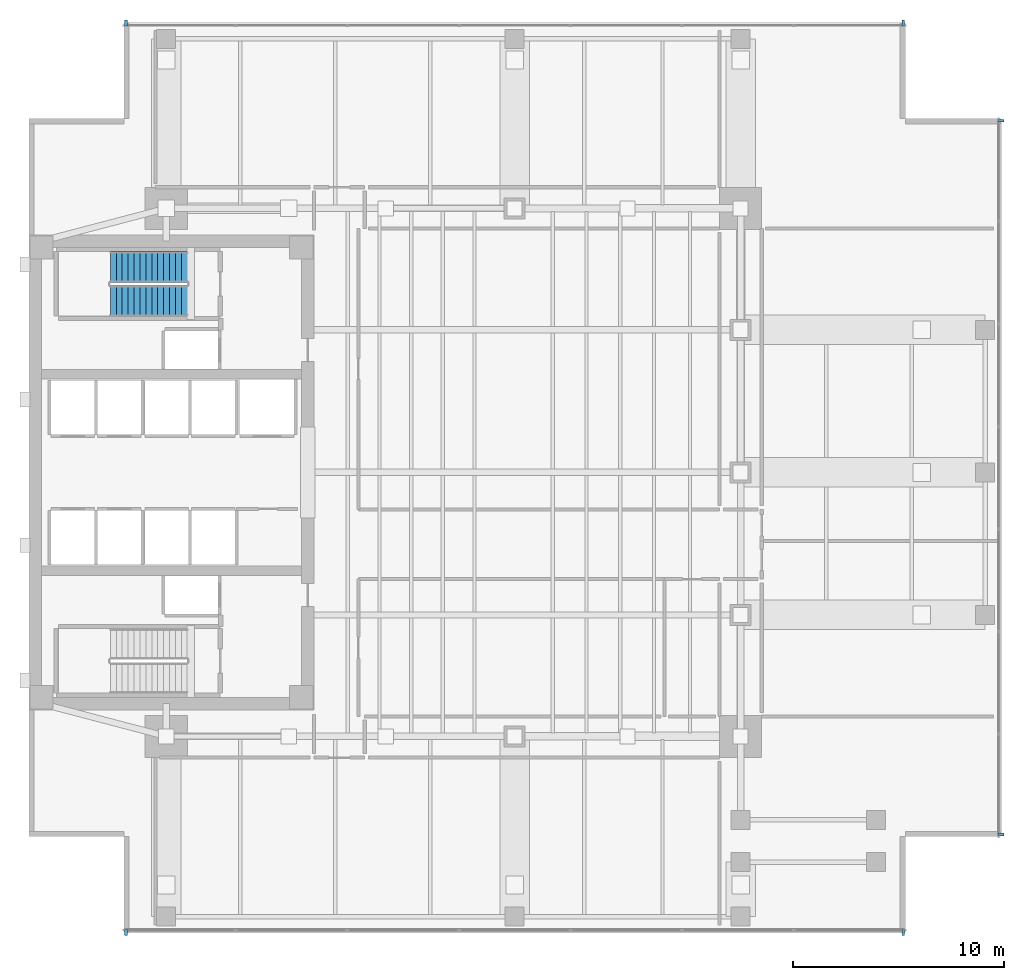
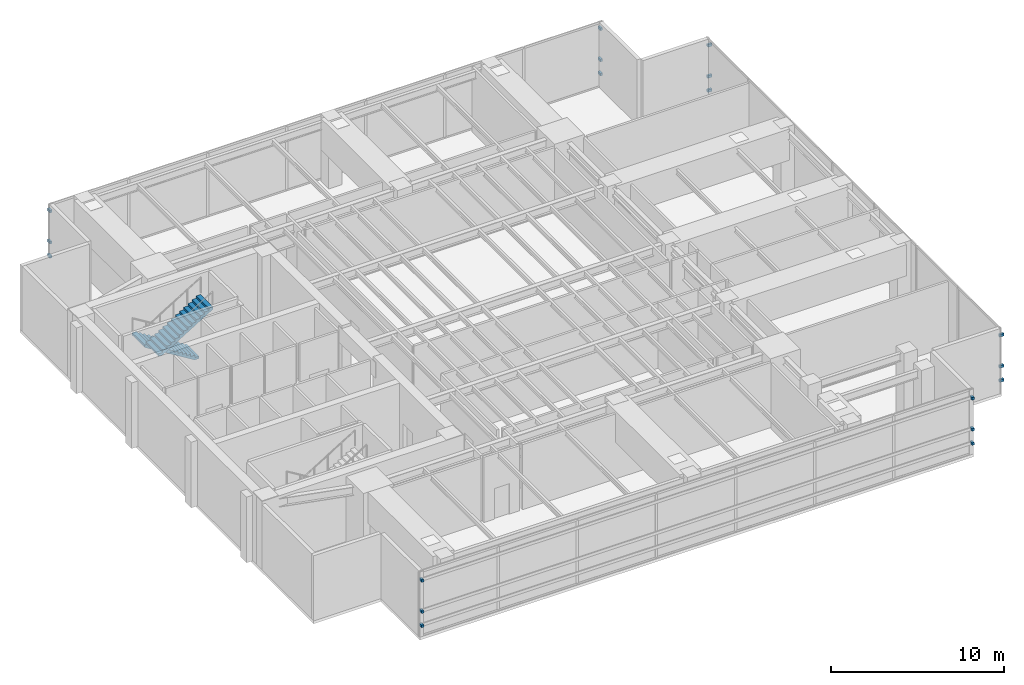
# One storey, part 10 of 14: 18 discrete accessories, 2 stair flights, 1 element without a shape of its own.
"""IFC4 building model written with IfcOpenShell, lengths in metres."""

from ifc_helpers import new_model, si_unit, direction, frame, origin, origin_2d, place, context, subcontext, project, spatial, polyline, rectangle, outline, extrude, material, type_object, element, aggregate, save


model = new_model("IFC4")

# Units and contexts
model_context = context("Model", 3, precision=1e-05, world=origin(), true_north=direction((0.0, 1.0)))
body_context = subcontext(model_context, "Body", "Model", "MODEL_VIEW")
ifc_project = project(units=[si_unit("LENGTHUNIT", "METRE"), si_unit("AREAUNIT", "SQUARE_METRE"), si_unit("VOLUMEUNIT", "CUBIC_METRE"), si_unit("PLANEANGLEUNIT", "RADIAN"), si_unit("MASSUNIT", "GRAM", prefix="KILO")], contexts=[model_context])

# Site, building, storey
site_placement = place(None, origin())
site = spatial("IfcSite", under=ifc_project, at=site_placement, CompositionType="ELEMENT")
building_placement = place(site_placement, origin())
building = spatial("IfcBuilding", under=site, at=building_placement, Name="Kinhvarn Gate Tower", CompositionType="ELEMENT")
storey_placement = place(building_placement, frame((0.0, 0.0, 173.25)))
storey = spatial("IfcBuildingStorey", under=building, at=storey_placement, Name="L46", CompositionType="ELEMENT", Elevation=173.25)

# Stair, stair flights
ifc_material_1 = material(Name="Concrete C40/50", Category="concrete")
stair_type = type_object("IfcStairType", Name="STR-DLG-171", PredefinedType="HALF_TURN_STAIR", material=ifc_material_1)
stair_placement = place(storey_placement, origin())
stair = element("IfcStair", 1, at=stair_placement, inside=storey, type_object=stair_type, Name="L46 Core Smokeproof Exit Stair ST2", PredefinedType="HALF_TURN_STAIR")
stair_flight_type = type_object("IfcStairFlightType", Name="STF-DLG-171", PredefinedType="STRAIGHT", material=ifc_material_1)
stair_flight_1_placement = place(storey_placement, frame((12.0, 34.97509765625, 0.0), z_axis=(0.0, 0.0, 1.0), x_axis=(-1.0, 0.0, 0.0)))
stair_flight_1 = element("IfcStairFlight", 2, at=stair_flight_1_placement, type_object=stair_flight_type, Name="ST2 flight 1", NumberOfRisers=14, NumberOfTreads=13, PredefinedType="STRAIGHT", RiserHeight=0.171428571, TreadLength=0.28, context=body_context, shape_type="SweptSolid", body=[
    extrude(outline(polyline([(0.0, 0.0), (0.0, 0.17138671875), (0.280029296875, 0.17138671875), (0.280029296875, 0.3427734375), (0.56005859375, 0.3427734375), (0.56005859375, 0.514404296875), (0.840087890625, 0.514404296875), (0.840087890625, 0.685791015625), (1.1201171875, 0.685791015625), (1.1201171875, 0.857177734375), (1.39990234375, 0.857177734375), (1.39990234375, 1.028564453125), (1.679931640625, 1.028564453125), (1.679931640625, 1.199951171875), (1.9599609375, 1.199951171875), (1.9599609375, 1.371337890625), (2.239990234375, 1.371337890625), (2.239990234375, 1.54296875), (2.52001953125, 1.54296875), (2.52001953125, 1.71435546875), (2.800048828125, 1.71435546875), (2.800048828125, 1.8857421875), (3.080078125, 1.8857421875), (3.080078125, 2.05712890625), (3.360107421875, 2.05712890625), (3.360107421875, 2.228515625), (3.639892578125, 2.228515625), (3.639892578125, 2.39990234375), (3.639892578125, 2.052734375), (0.287109375, 0.0), (0.0, 0.0)])), frame((0.0, 0.72509765625, 0.0), z_axis=(0.0, -1.0, 0.0), x_axis=(1.0, 0.0, 0.0)), (0.0, 0.0, 1.0), 1.449951171875),
])
stair_flight_2_placement = place(storey_placement, frame((8.360107421875, 33.375, 2.39990234375), z_axis=(0.0, 0.0, 1.0), x_axis=(1.0, 0.0, 0.0)))
stair_flight_2 = element("IfcStairFlight", 3, at=stair_flight_2_placement, type_object=stair_flight_type, Name="ST2 flight 2", NumberOfRisers=14, NumberOfTreads=13, PredefinedType="STRAIGHT", RiserHeight=0.171428571, TreadLength=0.28, context=body_context, shape_type="SweptSolid", body=[
    extrude(outline(polyline([(0.0, 0.0), (0.0, 0.17138671875), (0.280029296875, 0.17138671875), (0.280029296875, 0.3427734375), (0.56005859375, 0.3427734375), (0.56005859375, 0.514404296875), (0.840087890625, 0.514404296875), (0.840087890625, 0.685791015625), (1.1201171875, 0.685791015625), (1.1201171875, 0.857177734375), (1.39990234375, 0.857177734375), (1.39990234375, 1.028564453125), (1.679931640625, 1.028564453125), (1.679931640625, 1.199951171875), (1.9599609375, 1.199951171875), (1.9599609375, 1.371337890625), (2.239990234375, 1.371337890625), (2.239990234375, 1.54296875), (2.52001953125, 1.54296875), (2.52001953125, 1.71435546875), (2.800048828125, 1.71435546875), (2.800048828125, 1.8857421875), (3.080078125, 1.8857421875), (3.080078125, 2.05712890625), (3.360107421875, 2.05712890625), (3.360107421875, 2.228515625), (3.639892578125, 2.228515625), (3.639892578125, 2.39990234375), (3.639892578125, 2.052734375), (0.287109375, 0.0), (0.0, 0.0)])), frame((0.0, 0.72509765625, 0.0), z_axis=(0.0, -1.0, 0.0), x_axis=(1.0, 0.0, 0.0)), (0.0, 0.0, 1.0), 1.449951171875),
])
aggregate(stair, [stair_flight_1, stair_flight_2])

# Discrete accessories
ifc_material_2 = material(Name="Anodised aluminium AW-6063", Category="aluminium")
discrete_accessory_type = type_object("IfcDiscreteAccessoryType", Name="ACC-BRK-01", PredefinedType="BRACKET", material=ifc_material_2)
for number, where, z_axis, x_axis, name in (
    (4, (9.10009765625, 3.469970703125, 0.76025390625), (0.0, 0.0, 1.0), (1.0, 0.0, 0.0), "Baguette Support Bracket BK-01 (L46)"),
    (5, (9.10009765625, 3.469970703125, 1.76025390625), (0.0, 0.0, 1.0), (1.0, 0.0, 0.0), "Baguette Support Bracket BK-01 (L46)"),
    (6, (9.10009765625, 3.469970703125, 3.9599609375), (0.0, 0.0, 1.0), (1.0, 0.0, 0.0), "Baguette Support Bracket BK-01 (L46)"),
    (7, (45.89990234375, 3.469970703125, 0.76025390625), (0.0, 0.0, 1.0), (1.0, 0.0, 0.0), "Baguette Support Bracket BK-01 (L46)"),
    (8, (45.89990234375, 3.469970703125, 1.76025390625), (0.0, 0.0, 1.0), (1.0, 0.0, 0.0), "Baguette Support Bracket BK-01 (L46)"),
    (9, (45.89990234375, 3.469970703125, 3.9599609375), (0.0, 0.0, 1.0), (1.0, 0.0, 0.0), "Baguette Support Bracket BK-01 (L46)"),
    (10, (45.89990234375, 46.530029296875, 0.76025390625), (0.0, 0.0, 1.0), (-1.0, 0.0, 0.0), "Baguette Support Bracket BK-01 (L46)"),
    (11, (45.89990234375, 46.530029296875, 1.76025390625), (0.0, 0.0, 1.0), (-1.0, 0.0, 0.0), "Baguette Support Bracket BK-01 (L46)"),
    (12, (45.89990234375, 46.530029296875, 3.9599609375), (0.0, 0.0, 1.0), (-1.0, 0.0, 0.0), "Baguette Support Bracket BK-01 (L46)"),
    (13, (9.10009765625, 46.530029296875, 0.76025390625), (0.0, 0.0, 1.0), (-1.0, 0.0, 0.0), "Baguette Support Bracket BK-01 (L46)"),
    (14, (9.10009765625, 46.530029296875, 1.76025390625), (0.0, 0.0, 1.0), (-1.0, 0.0, 0.0), "Baguette Support Bracket BK-01 (L46)"),
    (15, (9.10009765625, 46.530029296875, 3.9599609375), (0.0, 0.0, 1.0), (-1.0, 0.0, 0.0), "Baguette Support Bracket BK-01 (L46)"),
    (16, (50.530029296875, 8.10009765625, 0.76025390625), (0.0, 0.0, 1.0), (0.0, 1.0, 0.0), "Baguette Support Bracket BK-01 (L46)"),
    (17, (50.530029296875, 8.10009765625, 1.76025390625), (0.0, 0.0, 1.0), (0.0, 1.0, 0.0), "Baguette Support Bracket BK-01 (L46)"),
    (18, (50.530029296875, 8.10009765625, 3.9599609375), (0.0, 0.0, 1.0), (0.0, 1.0, 0.0), "Baguette Support Bracket BK-01 (L46)"),
    (19, (50.530029296875, 41.89990234375, 0.76025390625), (0.0, 0.0, 1.0), (0.0, 1.0, 0.0), "Baguette Support Bracket BK-01 (L46)"),
    (20, (50.530029296875, 41.89990234375, 1.76025390625), (0.0, 0.0, 1.0), (0.0, 1.0, 0.0), "Baguette Support Bracket BK-01 (L46)"),
    (21, (50.530029296875, 41.89990234375, 3.9599609375), (0.0, 0.0, 1.0), (0.0, 1.0, 0.0), "Baguette Support Bracket BK-01 (L46)"),
):
    element("IfcDiscreteAccessory", number, at=place(storey_placement, frame(where, z_axis=z_axis, x_axis=x_axis)), inside=storey, type_object=discrete_accessory_type, Name=name, PredefinedType="BRACKET", context=body_context, shape_type="SweptSolid", body=[
        extrude(rectangle(XDim=0.139892578125, YDim=0.280029296875, at=origin_2d()), origin(), (0.0, 0.0, 1.0), 0.179931640625),
    ])

save(model, "model.ifc")
